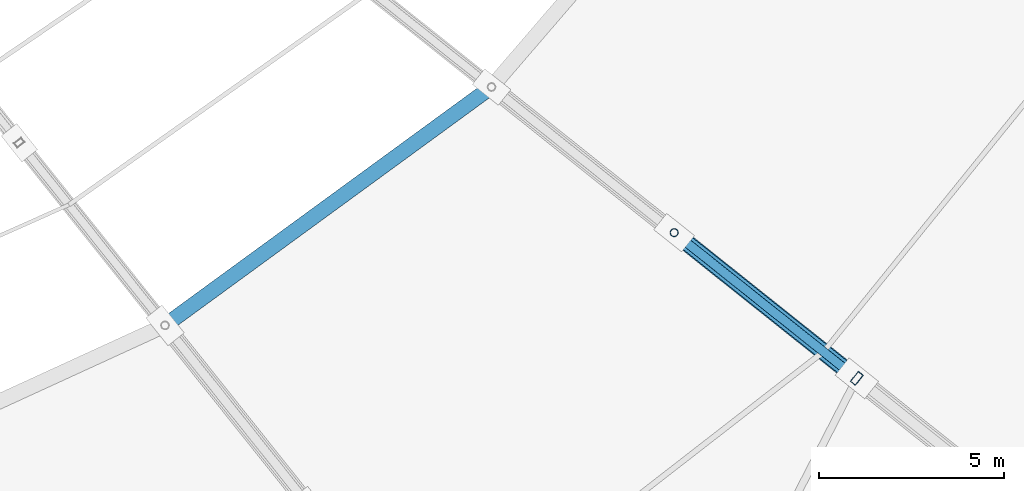
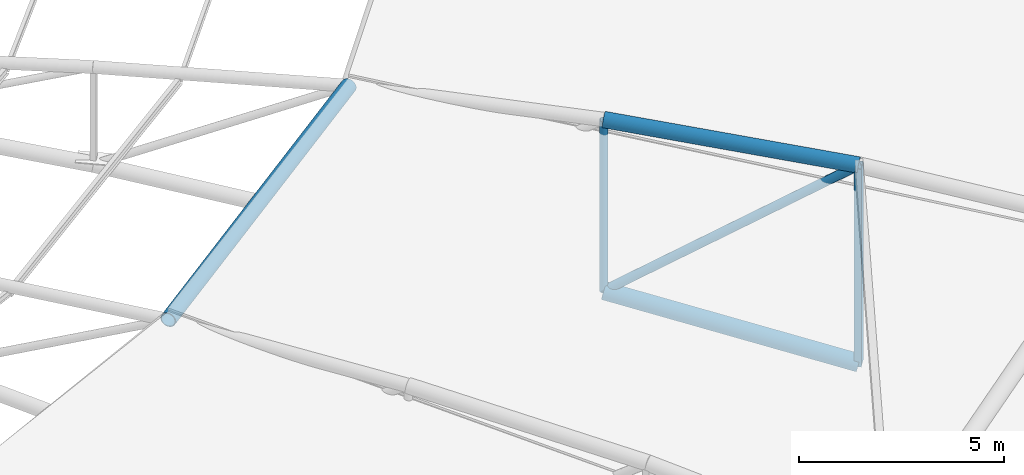
# One storey, part 63 of 108: 6 members.
"""IFC4 building model written with IfcOpenShell, lengths in metres."""

from ifc_helpers import new_model, si_unit, direction, frame, origin, origin_2d, place, context, subcontext, project, spatial, hollow_rectangle, hollow_circle, extrude, material, material_profile, profile_set, type_object, element, save


model = new_model("IFC4")

# Units and contexts
model_context = context("Model", 3, precision=1e-05, world=origin(), true_north=direction((0.0, 1.0)))
body_context = subcontext(model_context, "Body", "Model", "MODEL_VIEW")
ifc_project = project(units=[si_unit("LENGTHUNIT", "METRE"), si_unit("AREAUNIT", "SQUARE_METRE"), si_unit("VOLUMEUNIT", "CUBIC_METRE"), si_unit("PLANEANGLEUNIT", "RADIAN"), si_unit("MASSUNIT", "GRAM", prefix="KILO")], contexts=[model_context])

# Site, building, storey
site_placement = place(None, origin())
site = spatial("IfcSite", under=ifc_project, at=site_placement, CompositionType="ELEMENT")
building_placement = place(site_placement, origin())
building = spatial("IfcBuilding", under=site, at=building_placement, Name="Zevraka Park Crest Stadium", CompositionType="ELEMENT")
storey_placement = place(building_placement, frame((0.0, 0.0, 29.39990234375)))
storey = spatial("IfcBuildingStorey", under=building, at=storey_placement, Name="RF", CompositionType="ELEMENT", Elevation=29.39990234375)

# Members
ifc_material_1 = material(Name="Steel S355", Category="steel")
ifc_material_profile_1 = material_profile(ifc_material_1, hollow_circle(Radius=0.228515625, WallThickness=0.02490234375, at=origin_2d()), Name="CHS 457.0x25")
ifc_profile_set_1 = profile_set([ifc_material_profile_1], Name="Steel S355")
member_type_1 = type_object("IfcMemberType", Name="TC02", PredefinedType="CHORD", material=ifc_profile_set_1)
member_1_placement = place(storey_placement, frame((165.321044921875, 58.830078125, 2.4501953125), z_axis=(-0.760602740013, 0.606499354913, 0.231607435924), x_axis=(-0.623451415626, -0.781862092926, 0.0)))
element("IfcMember", 1, at=member_1_placement, inside=storey, type_object=member_type_1, Name="Roof Truss Bottom Chord TC02 T26-4", PredefinedType="CHORD", context=body_context, shape_type="SweptSolid", body=[
    extrude(hollow_circle(Radius=0.228515625, WallThickness=0.02490234375, at=origin_2d()), origin(), (0.0, 0.0, 1.0), 6.4765625),
])
ifc_material_2 = material(Name="Steel S355", Category="steel")
ifc_material_profile_2 = material_profile(ifc_material_2, hollow_circle(Radius=0.203125, WallThickness=0.02001953125, at=origin_2d()), Name="CHS 406.4x20")
ifc_profile_set_2 = profile_set([ifc_material_profile_2], Name="Steel S355")
member_type_2 = type_object("IfcMemberType", Name="TC03", PredefinedType="CHORD", material=ifc_profile_set_2)
member_2_placement = place(storey_placement, frame((165.321044921875, 58.830078125, 8.35009765625), z_axis=(-0.777081243821, 0.619639199674, 0.110417402291), x_axis=(-0.623451415626, -0.781862092926, 0.0)))
element("IfcMember", 2, at=member_2_placement, inside=storey, type_object=member_type_2, Name="Roof Truss Top Chord TC03 T26-4", PredefinedType="CHORD", context=body_context, shape_type="SweptSolid", body=[
    extrude(hollow_circle(Radius=0.203125, WallThickness=0.02001953125, at=origin_2d()), origin(), (0.0, 0.0, 1.0), 6.339111328125),
])
member_3_placement = place(storey_placement, frame((146.666015625, 60.258056640625, 9.400146484375), z_axis=(0.807639312587, 0.589676810435, 0.0), x_axis=(-0.589676810435, 0.807639312587, 0.0)))
element("IfcMember", 3, at=member_3_placement, inside=storey, type_object=member_type_2, Name="Roof Canopy Arch Crown Ring Chord TC03 25", PredefinedType="CHORD", context=body_context, shape_type="SweptSolid", body=[
    extrude(hollow_circle(Radius=0.203125, WallThickness=0.02001953125, at=origin_2d()), origin(), (0.0, 0.0, 1.0), 10.90087890625),
])
ifc_material_3 = material(Name="Steel S355", Category="steel")
ifc_material_profile_3 = material_profile(ifc_material_3, hollow_circle(Radius=0.109619140625, WallThickness=0.010009765625, at=origin_2d()), Name="CHS 219.1x10")
ifc_profile_set_3 = profile_set([ifc_material_profile_3], Name="Steel S355")
member_type_3 = type_object("IfcMemberType", Name="WB02", PredefinedType="BRACE", material=ifc_profile_set_3)
member_4_placement = place(storey_placement, frame((160.39501953125, 62.758056640625, 3.9501953125), z_axis=(0.0, 0.0, 1.0), x_axis=(-0.781847027868, 0.623470308046, 0.0)))
element("IfcMember", 4, at=member_4_placement, inside=storey, type_object=member_type_3, Name="Roof Truss Web Post WB02 T26-4", PredefinedType="BRACE", context=body_context, shape_type="SweptSolid", body=[
    extrude(hollow_circle(Radius=0.109619140625, WallThickness=0.010009765625, at=origin_2d()), origin(), (0.0, 0.0, 1.0), 5.099853515625),
])
ifc_material_4 = material(Name="Steel S355", Category="steel")
ifc_material_profile_4 = material_profile(ifc_material_4, hollow_circle(Radius=0.122314453125, WallThickness=0.012451171875, at=origin_2d()), Name="CHS 244.5x12.5")
ifc_profile_set_4 = profile_set([ifc_material_profile_4], Name="Steel S355")
member_type_4 = type_object("IfcMemberType", Name="WB07", PredefinedType="BRACE", material=ifc_profile_set_4)
member_5_placement = place(storey_placement, frame((160.39501953125, 62.758056640625, 3.9501953125), z_axis=(0.641021240171, -0.51114589548, 0.572557109102), x_axis=(0.623451415626, 0.781862092926, 0.0)))
element("IfcMember", 5, at=member_5_placement, inside=storey, type_object=member_type_4, Name="Roof Truss Web Diagonal WB07 T26-4", PredefinedType="BRACE", context=body_context, shape_type="SweptSolid", body=[
    extrude(hollow_circle(Radius=0.122314453125, WallThickness=0.012451171875, at=origin_2d()), origin(), (0.0, 0.0, 1.0), 7.6845703125),
])
ifc_material_5 = material(Name="Steel S355", Category="steel")
ifc_material_profile_5 = material_profile(ifc_material_5, hollow_rectangle(XDim=0.175048828125, YDim=0.35009765625, WallThickness=0.012451171875, at=origin_2d()), Name="RHS 350x175x12.5")
ifc_profile_set_5 = profile_set([ifc_material_profile_5], Name="Steel S355")
member_type_5 = type_object("IfcMemberType", Name="WB09", PredefinedType="BRACE", material=ifc_profile_set_5)
member_6_placement = place(storey_placement, frame((165.321044921875, 58.830078125, 2.4501953125), z_axis=(0.0, 0.0, 1.0), x_axis=(-0.781847027868, 0.623470308046, 0.0)))
element("IfcMember", 6, at=member_6_placement, inside=storey, type_object=member_type_5, Name="Roof Truss Web Post WB09 T26-3", PredefinedType="BRACE", context=body_context, shape_type="SweptSolid", body=[
    extrude(hollow_rectangle(XDim=0.175048828125, YDim=0.35009765625, WallThickness=0.012451171875, at=origin_2d()), origin(), (0.0, 0.0, 1.0), 5.89990234375),
])

save(model, "model.ifc")
